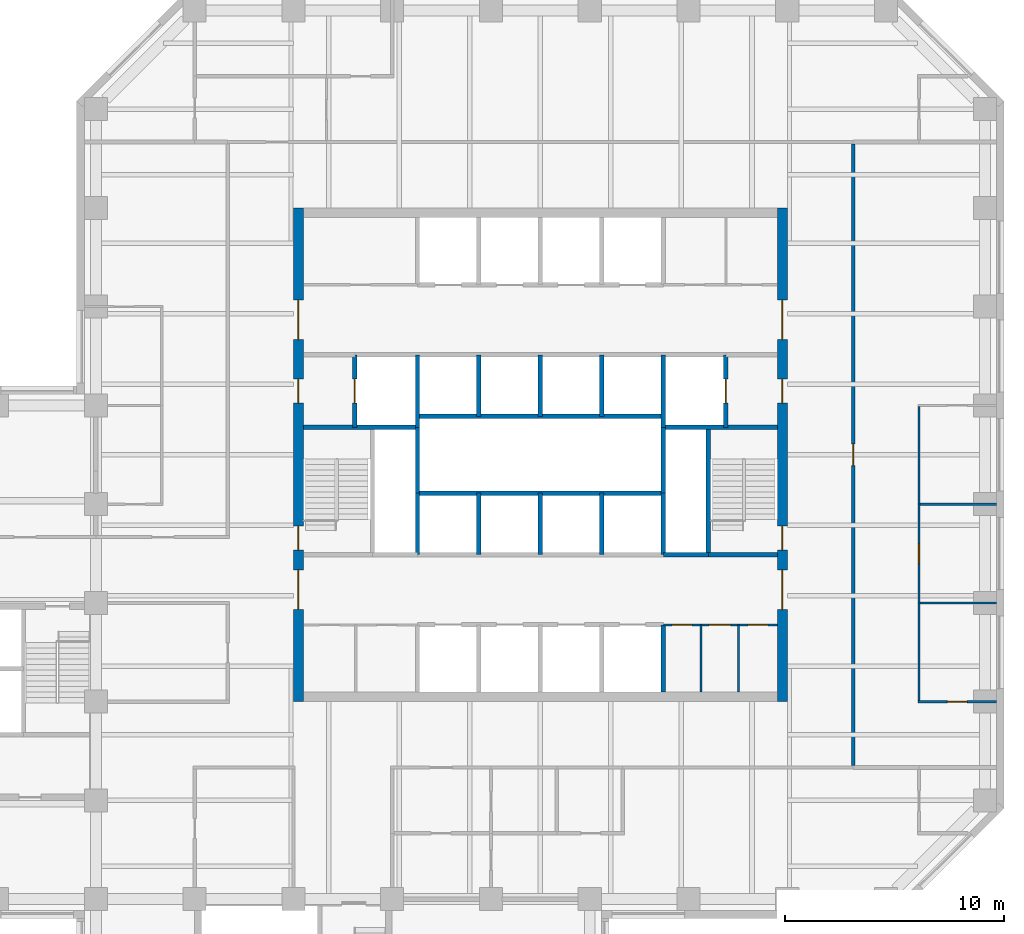
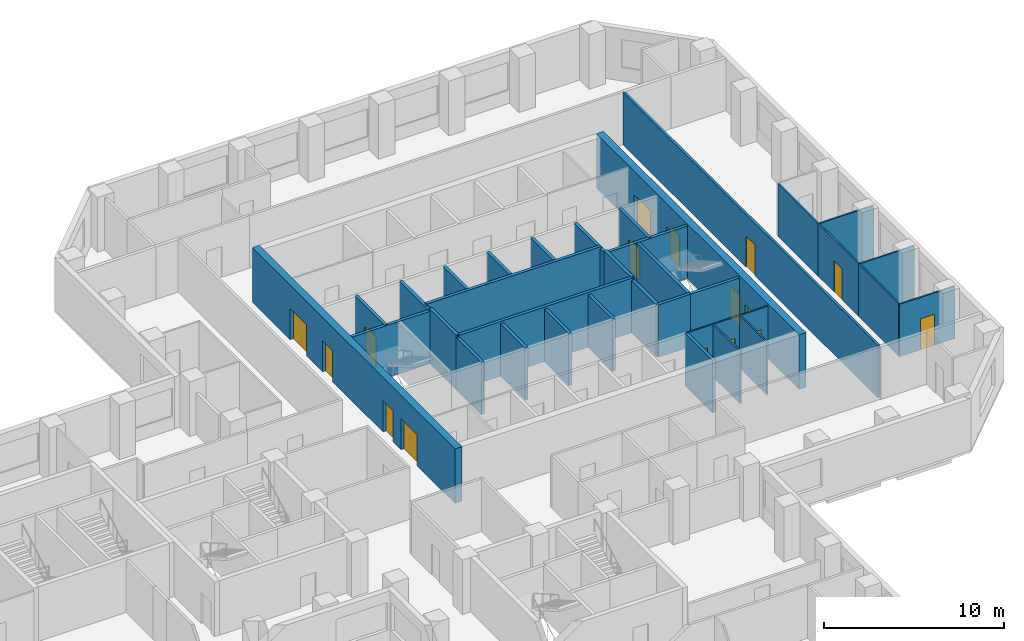
# One storey, part 7 of 10: 34 walls, 16 doors, 16 openings.
"""IFC4 building model written with IfcOpenShell, lengths in metres."""

from ifc_helpers import new_model, si_unit, direction, frame, frame_2d, origin, place, context, subcontext, project, spatial, rectangle, extrude, material, layer, layer_set, type_object, element, fill, save


model = new_model("IFC4")

# Units and contexts
model_context = context("Model", 3, precision=1e-05, world=origin(), true_north=direction((0.0, 1.0)))
body_context = subcontext(model_context, "Body", "Model", "MODEL_VIEW")
ifc_project = project(units=[si_unit("LENGTHUNIT", "METRE"), si_unit("AREAUNIT", "SQUARE_METRE"), si_unit("VOLUMEUNIT", "CUBIC_METRE"), si_unit("PLANEANGLEUNIT", "RADIAN"), si_unit("MASSUNIT", "GRAM", prefix="KILO")], contexts=[model_context])

# Site, building, storey
site_placement = place(None, origin())
site = spatial("IfcSite", under=ifc_project, at=site_placement, CompositionType="ELEMENT")
building_placement = place(site_placement, origin())
building = spatial("IfcBuilding", under=site, at=building_placement, Name="Quoin Convention Tower", CompositionType="ELEMENT")
storey_placement = place(building_placement, frame((0.0, 0.0, 86.300048828125)))
storey = spatial("IfcBuildingStorey", under=building, at=storey_placement, Name="L22", CompositionType="ELEMENT", Elevation=86.300048828125)

# Wall, openings, doors
ifc_material_1 = material(Name="Plasterboard")
ifc_layer_1 = layer(ifc_material_1, 0.012451171875, Name="Finish")
ifc_material_2 = material(Name="Steel stud framing", Category="steel")
ifc_layer_2 = layer(ifc_material_2, 0.074951171875, Name="Structure")
ifc_layer_3 = layer(ifc_material_1, 0.012451171875, Name="Finish")
ifc_layer_set_1 = layer_set([ifc_layer_1, ifc_layer_2, ifc_layer_3], Name="Steel stud framing")
wall_type_1 = type_object("IfcWallType", Name="Core partition wall", PredefinedType="PARTITIONING", material=ifc_layer_set_1)
wall_1_placement = place(storey_placement, frame((61.85009765625, 53.0, 0.0), z_axis=(0.0, 0.0, 1.0), x_axis=(1.0, 0.0, 0.0)))
wall_1 = element("IfcWall", 1, at=wall_1_placement, inside=storey, type_object=wall_type_1, Name="cr-C1-L22-h3500_16850", PredefinedType="PARTITIONING", context=body_context, shape_type="SweptSolid", body=[
    extrude(rectangle(XDim=5.199951171875, YDim=0.10009765625, at=frame_2d((2.60009765625, 0.0))), origin(), (0.0, 0.0, 1.0), 3.550048828125),
])
opening_1_placement = place(wall_1_placement, frame((3.865966796875, 0.0, 0.0)))
opening_1 = element("IfcOpeningElement", 2, at=opening_1_placement, cuts=wall_1, Name="Opening DCV2-21", PredefinedType="OPENING", context=body_context, shape_type="SweptSolid", body=[
    extrude(rectangle(XDim=0.89990234375, YDim=2.10009765625, at=frame_2d((0.449951171875, 1.050048828125))), frame((0.0, 0.06005859375, 0.0), z_axis=(0.0, -1.0, 0.0), x_axis=(1.0, 0.0, 0.0)), (0.0, 0.0, 1.0), 0.1201171875),
])
opening_2_placement = place(wall_1_placement, frame((2.073974609375, 0.0, 0.0)))
opening_2 = element("IfcOpeningElement", 3, at=opening_2_placement, cuts=wall_1, Name="Opening DCV2-19", PredefinedType="OPENING", context=body_context, shape_type="SweptSolid", body=[
    extrude(rectangle(XDim=1.0, YDim=2.10009765625, at=frame_2d((0.5, 1.050048828125))), frame((0.0, 0.06005859375, 0.0), z_axis=(0.0, -1.0, 0.0), x_axis=(1.0, 0.0, 0.0)), (0.0, 0.0, 1.0), 0.1201171875),
])
opening_3_placement = place(wall_1_placement, frame((0.407958984375, 0.0, 0.0)))
opening_3 = element("IfcOpeningElement", 4, at=opening_3_placement, cuts=wall_1, Name="Opening DCV2-17", PredefinedType="OPENING", context=body_context, shape_type="SweptSolid", body=[
    extrude(rectangle(XDim=0.89990234375, YDim=2.10009765625, at=frame_2d((0.449951171875, 1.050048828125))), frame((0.0, 0.06005859375, 0.0), z_axis=(0.0, -1.0, 0.0), x_axis=(1.0, 0.0, 0.0)), (0.0, 0.0, 1.0), 0.1201171875),
])
ifc_material_3 = material(Name="Steel door leaf", Category="steel")
door_type_1 = type_object("IfcDoorType", Name="Core room door 1000 x 2100", OperationType="SINGLE_SWING_LEFT", PredefinedType="DOOR", material=ifc_material_3)
door_1_placement = place(opening_2_placement, frame((1.0, 0.0, 0.0), z_axis=(0.0, 0.0, 1.0), x_axis=(-1.0, 0.0, 0.0)))
door_1 = element("IfcDoor", 5, at=door_1_placement, inside=storey, type_object=door_type_1, Name="cd-C1-L22-CSE1-lobA-CD2211", OperationType="SINGLE_SWING_LEFT", OverallHeight=2.10009765625, OverallWidth=1.0, PredefinedType="DOOR", context=body_context, shape_type="SweptSolid", body=[
    extrude(rectangle(XDim=1.0, YDim=2.10009765625, at=frame_2d((0.5, 1.050048828125))), frame((0.0, 0.02490234375, 0.0), z_axis=(0.0, -1.0, 0.0), x_axis=(1.0, 0.0, 0.0)), (0.0, 0.0, 1.0), 0.050048828125),
])
fill(opening_2, door_1)
door_type_2 = type_object("IfcDoorType", Name="Core room door 900 x 2100", OperationType="SINGLE_SWING_LEFT", PredefinedType="DOOR", material=ifc_material_3)
door_2_placement = place(opening_1_placement, frame((0.89990234375, 0.0, 0.0), z_axis=(0.0, 0.0, 1.0), x_axis=(-1.0, 0.0, 0.0)))
door_2 = element("IfcDoor", 6, at=door_2_placement, inside=storey, type_object=door_type_2, Name="cd-C1-L22-CSE0-lobA-CD2210", OperationType="SINGLE_SWING_LEFT", OverallHeight=2.10009765625, OverallWidth=0.89990234375, PredefinedType="DOOR", context=body_context, shape_type="SweptSolid", body=[
    extrude(rectangle(XDim=0.89990234375, YDim=2.10009765625, at=frame_2d((0.449951171875, 1.050048828125))), frame((0.0, 0.02490234375, 0.0), z_axis=(0.0, -1.0, 0.0), x_axis=(1.0, 0.0, 0.0)), (0.0, 0.0, 1.0), 0.050048828125),
])
fill(opening_1, door_2)
door_3_placement = place(opening_3_placement, frame((0.89990234375, 0.0, 0.0), z_axis=(0.0, 0.0, 1.0), x_axis=(-1.0, 0.0, 0.0)))
door_3 = element("IfcDoor", 7, at=door_3_placement, inside=storey, type_object=door_type_2, Name="cd-C1-L22-CSE2-lobA-CD2212", OperationType="SINGLE_SWING_RIGHT", OverallHeight=2.10009765625, OverallWidth=0.89990234375, PredefinedType="DOOR", context=body_context, shape_type="SweptSolid", body=[
    extrude(rectangle(XDim=0.89990234375, YDim=2.10009765625, at=frame_2d((0.449951171875, 1.050048828125))), frame((0.0, 0.02490234375, 0.0), z_axis=(0.0, -1.0, 0.0), x_axis=(1.0, 0.0, 0.0)), (0.0, 0.0, 1.0), 0.050048828125),
])
fill(opening_3, door_3)

# Walls
for number, where, z_axis, x_axis, name in (
    (8, (63.56591796875, 49.949951171875, 0.0), (0.0, 0.0, 1.0), (0.0, 1.0, 0.0), "cr-C1-L22-v18566_450"),
    (9, (65.281982421875, 49.949951171875, 0.0), (0.0, 0.0, 1.0), (0.0, 1.0, 0.0), "cr-C1-L22-v20282_450"),
):
    element("IfcWall", number, at=place(storey_placement, frame(where, z_axis=z_axis, x_axis=x_axis)), inside=storey, type_object=wall_type_1, Name=name, PredefinedType="PARTITIONING", context=body_context, shape_type="SweptSolid", body=[
        extrude(rectangle(XDim=3.050048828125, YDim=0.10009765625, at=frame_2d((1.52490234375, 0.0))), origin(), (0.0, 0.0, 1.0), 3.550048828125),
    ])
ifc_material_4 = material(Name="Concrete C50", Category="concrete")
ifc_layer_4 = layer(ifc_material_4, 0.199951171875)
ifc_layer_set_2 = layer_set([ifc_layer_4], Name="Concrete C50")
wall_type_2 = type_object("IfcWallType", Name="Core shaft wall", PredefinedType="SOLIDWALL", material=ifc_layer_set_2)
wall_2_placement = place(storey_placement, frame((61.85009765625, 56.199951171875, 0.0), z_axis=(0.0, 0.0, 1.0), x_axis=(1.0, 0.0, 0.0)))
element("IfcWall", 10, at=wall_2_placement, inside=storey, type_object=wall_type_2, Name="cr-C1-L22-h6700_16850", PredefinedType="SOLIDWALL", context=body_context, shape_type="SweptSolid", body=[
    extrude(rectangle(XDim=2.0498046875, YDim=0.199951171875, at=frame_2d((1.02490234375, 0.0))), origin(), (0.0, 0.0, 1.0), 3.550048828125),
])
wall_3_placement = place(storey_placement, frame((63.89990234375, 56.199951171875, 0.0), z_axis=(0.0, 0.0, 1.0), x_axis=(1.0, 0.0, 0.0)))
element("IfcWall", 11, at=wall_3_placement, inside=storey, type_object=wall_type_2, Name="cr-C1-L22-h6700_18900", PredefinedType="SOLIDWALL", context=body_context, shape_type="SweptSolid", body=[
    extrude(rectangle(XDim=3.150146484375, YDim=0.199951171875, at=frame_2d((1.5751953125, 0.0))), origin(), (0.0, 0.0, 1.0), 3.550048828125),
])
for number, where, z_axis, x_axis, name in (
    (12, (45.449951171875, 62.0, 0.0), (0.0, 0.0, 1.0), (1.0, 0.0, 0.0), "cr-C1-L22-h12500_450"),
    (13, (61.85009765625, 62.0, 0.0), (0.0, 0.0, 1.0), (1.0, 0.0, 0.0), "cr-C1-L22-h12500_16850"),
):
    element("IfcWall", number, at=place(storey_placement, frame(where, z_axis=z_axis, x_axis=x_axis)), inside=storey, type_object=wall_type_2, Name=name, PredefinedType="SOLIDWALL", context=body_context, shape_type="SweptSolid", body=[
        extrude(rectangle(XDim=5.199951171875, YDim=0.199951171875, at=frame_2d((2.60009765625, 0.0))), origin(), (0.0, 0.0, 1.0), 3.550048828125),
    ])

# Wall, opening, door
wall_4_placement = place(storey_placement, frame((47.800048828125, 62.0, 0.0), z_axis=(0.0, 0.0, 1.0), x_axis=(0.0, 1.0, 0.0)))
wall_4 = element("IfcWall", 14, at=wall_4_placement, inside=storey, type_object=wall_type_2, Name="cr-C1-L22-v2800_12500", PredefinedType="SOLIDWALL", context=body_context, shape_type="SweptSolid", body=[
    extrude(rectangle(XDim=3.300048828125, YDim=0.199951171875, at=frame_2d((1.64990234375, 0.0))), origin(), (0.0, 0.0, 1.0), 3.550048828125),
])
opening_4_placement = place(wall_4_placement, frame((1.10009765625, 0.0, 0.0)))
opening_4 = element("IfcOpeningElement", 15, at=opening_4_placement, cuts=wall_4, Name="Opening LDFL1", PredefinedType="OPENING", context=body_context, shape_type="SweptSolid", body=[
    extrude(rectangle(XDim=1.10009765625, YDim=2.10009765625, at=frame_2d((0.550048828125, 1.050048828125))), frame((0.0, 0.10986328125, 0.0), z_axis=(0.0, -1.0, 0.0), x_axis=(1.0, 0.0, 0.0)), (0.0, 0.0, 1.0), 0.219970703125),
])
door_type_3 = type_object("IfcDoorType", Name="Lift landing door 1100 x 2100", OperationType="DOUBLE_DOOR_SLIDING", PredefinedType="DOOR", material=ifc_material_3)
door_4_placement = place(opening_4_placement, origin())
door_4 = element("IfcDoor", 16, at=door_4_placement, inside=storey, type_object=door_type_3, Name="cd-C1-L22-FLW-FFW-LDFL1", OperationType="DOUBLE_DOOR_SLIDING", OverallHeight=2.10009765625, OverallWidth=1.10009765625, PredefinedType="DOOR", context=body_context, shape_type="SweptSolid", body=[
    extrude(rectangle(XDim=1.10009765625, YDim=2.10009765625, at=frame_2d((0.550048828125, 1.050048828125))), frame((0.0, 0.02490234375, 0.0), z_axis=(0.0, -1.0, 0.0), x_axis=(1.0, 0.0, 0.0)), (0.0, 0.0, 1.0), 0.050048828125),
])
fill(opening_4, door_4)

# Walls
wall_5_placement = place(storey_placement, frame((50.64990234375, 56.199951171875, 0.0), z_axis=(0.0, 0.0, 1.0), x_axis=(0.0, 1.0, 0.0)))
element("IfcWall", 17, at=wall_5_placement, inside=storey, type_object=wall_type_2, Name="cr-C1-L22-v5650_6700", PredefinedType="SOLIDWALL", context=body_context, shape_type="SweptSolid", body=[
    extrude(rectangle(XDim=2.800048828125, YDim=0.199951171875, at=frame_2d((1.39990234375, 0.0))), origin(), (0.0, 0.0, 1.0), 3.550048828125),
])
wall_6_placement = place(storey_placement, frame((50.64990234375, 62.0, 0.0), z_axis=(0.0, 0.0, 1.0), x_axis=(0.0, 1.0, 0.0)))
element("IfcWall", 18, at=wall_6_placement, inside=storey, type_object=wall_type_2, Name="cr-C1-L22-v5650_12500", PredefinedType="SOLIDWALL", context=body_context, shape_type="SweptSolid", body=[
    extrude(rectangle(XDim=3.300048828125, YDim=0.199951171875, at=frame_2d((1.64990234375, 0.0))), origin(), (0.0, 0.0, 1.0), 3.550048828125),
])
for number, where, z_axis, x_axis, name in (
    (19, (53.449951171875, 56.199951171875, 0.0), (0.0, 0.0, 1.0), (0.0, 1.0, 0.0), "cr-C1-L22-v8450_6700"),
    (20, (53.449951171875, 62.5, 0.0), (0.0, 0.0, 1.0), (0.0, 1.0, 0.0), "cr-C1-L22-v8450_13000"),
    (21, (56.25, 56.199951171875, 0.0), (0.0, 0.0, 1.0), (0.0, 1.0, 0.0), "cr-C1-L22-v11250_6700"),
    (22, (56.25, 62.5, 0.0), (0.0, 0.0, 1.0), (0.0, 1.0, 0.0), "cr-C1-L22-v11250_13000"),
    (23, (59.050048828125, 56.199951171875, 0.0), (0.0, 0.0, 1.0), (0.0, 1.0, 0.0), "cr-C1-L22-v14050_6700"),
    (24, (59.050048828125, 62.5, 0.0), (0.0, 0.0, 1.0), (0.0, 1.0, 0.0), "cr-C1-L22-v14050_13000"),
):
    element("IfcWall", number, at=place(storey_placement, frame(where, z_axis=z_axis, x_axis=x_axis)), inside=storey, type_object=wall_type_2, Name=name, PredefinedType="SOLIDWALL", context=body_context, shape_type="SweptSolid", body=[
        extrude(rectangle(XDim=2.800048828125, YDim=0.199951171875, at=frame_2d((1.39990234375, 0.0))), origin(), (0.0, 0.0, 1.0), 3.550048828125),
    ])
wall_7_placement = place(storey_placement, frame((61.85009765625, 49.949951171875, 0.0), z_axis=(0.0, 0.0, 1.0), x_axis=(0.0, 1.0, 0.0)))
element("IfcWall", 25, at=wall_7_placement, inside=storey, type_object=wall_type_2, Name="cr-C1-L22-v16850_450", PredefinedType="SOLIDWALL", context=body_context, shape_type="SweptSolid", body=[
    extrude(rectangle(XDim=3.050048828125, YDim=0.199951171875, at=frame_2d((1.52490234375, 0.0))), origin(), (0.0, 0.0, 1.0), 3.550048828125),
])
wall_8_placement = place(storey_placement, frame((61.85009765625, 56.199951171875, 0.0), z_axis=(0.0, 0.0, 1.0), x_axis=(0.0, 1.0, 0.0)))
element("IfcWall", 26, at=wall_8_placement, inside=storey, type_object=wall_type_2, Name="cr-C1-L22-v16850_6700", PredefinedType="SOLIDWALL", context=body_context, shape_type="SweptSolid", body=[
    extrude(rectangle(XDim=2.800048828125, YDim=0.199951171875, at=frame_2d((1.39990234375, 0.0))), origin(), (0.0, 0.0, 1.0), 3.550048828125),
])
wall_9_placement = place(storey_placement, frame((61.85009765625, 62.0, 0.0), z_axis=(0.0, 0.0, 1.0), x_axis=(0.0, 1.0, 0.0)))
element("IfcWall", 27, at=wall_9_placement, inside=storey, type_object=wall_type_2, Name="cr-C1-L22-v16850_12500", PredefinedType="SOLIDWALL", context=body_context, shape_type="SweptSolid", body=[
    extrude(rectangle(XDim=3.300048828125, YDim=0.199951171875, at=frame_2d((1.64990234375, 0.0))), origin(), (0.0, 0.0, 1.0), 3.550048828125),
])
wall_10_placement = place(storey_placement, frame((63.89990234375, 56.199951171875, 0.0), z_axis=(0.0, 0.0, 1.0), x_axis=(0.0, 1.0, 0.0)))
element("IfcWall", 28, at=wall_10_placement, inside=storey, type_object=wall_type_2, Name="cr-C1-L22-v18900_6700", PredefinedType="SOLIDWALL", context=body_context, shape_type="SweptSolid", body=[
    extrude(rectangle(XDim=5.800048828125, YDim=0.199951171875, at=frame_2d((2.89990234375, 0.0))), origin(), (0.0, 0.0, 1.0), 3.550048828125),
])

# Wall, opening, door
wall_11_placement = place(storey_placement, frame((64.699951171875, 62.0, 0.0), z_axis=(0.0, 0.0, 1.0), x_axis=(0.0, 1.0, 0.0)))
wall_11 = element("IfcWall", 29, at=wall_11_placement, inside=storey, type_object=wall_type_2, Name="cr-C1-L22-v19700_12500", PredefinedType="SOLIDWALL", context=body_context, shape_type="SweptSolid", body=[
    extrude(rectangle(XDim=3.300048828125, YDim=0.199951171875, at=frame_2d((1.64990234375, 0.0))), origin(), (0.0, 0.0, 1.0), 3.550048828125),
])
opening_5_placement = place(wall_11_placement, frame((1.10009765625, 0.0, 0.0)))
opening_5 = element("IfcOpeningElement", 30, at=opening_5_placement, cuts=wall_11, Name="Opening LDFL2", PredefinedType="OPENING", context=body_context, shape_type="SweptSolid", body=[
    extrude(rectangle(XDim=1.10009765625, YDim=2.10009765625, at=frame_2d((0.550048828125, 1.050048828125))), frame((0.0, 0.10986328125, 0.0), z_axis=(0.0, -1.0, 0.0), x_axis=(1.0, 0.0, 0.0)), (0.0, 0.0, 1.0), 0.219970703125),
])
door_5_placement = place(opening_5_placement, origin())
door_5 = element("IfcDoor", 31, at=door_5_placement, inside=storey, type_object=door_type_3, Name="cd-C1-L22-FLE-FFE-LDFL2", OperationType="DOUBLE_DOOR_SLIDING", OverallHeight=2.10009765625, OverallWidth=1.10009765625, PredefinedType="DOOR", context=body_context, shape_type="SweptSolid", body=[
    extrude(rectangle(XDim=1.10009765625, YDim=2.10009765625, at=frame_2d((0.550048828125, 1.050048828125))), frame((0.0, 0.02490234375, 0.0), z_axis=(0.0, -1.0, 0.0), x_axis=(1.0, 0.0, 0.0)), (0.0, 0.0, 1.0), 0.050048828125),
])
fill(opening_5, door_5)

# Walls
ifc_layer_5 = layer(ifc_material_4, 0.199951171875)
ifc_layer_set_3 = layer_set([ifc_layer_5], Name="Concrete C50")
wall_type_3 = type_object("IfcWallType", Name="Core shaft wall to the floor level over", PredefinedType="SOLIDWALL", material=ifc_layer_set_3)
for number, where, z_axis, x_axis, name in (
    (32, (50.64990234375, 59.0, 0.0), (0.0, 0.0, 1.0), (1.0, 0.0, 0.0), "cr-C1-L22-h9500_5650"),
    (33, (50.64990234375, 62.5, 0.0), (0.0, 0.0, 1.0), (1.0, 0.0, 0.0), "cr-C1-L22-h13000_5650"),
):
    element("IfcWall", number, at=place(storey_placement, frame(where, z_axis=z_axis, x_axis=x_axis)), inside=storey, type_object=wall_type_3, Name=name, PredefinedType="SOLIDWALL", context=body_context, shape_type="SweptSolid", body=[
        extrude(rectangle(XDim=11.2001953125, YDim=0.199951171875, at=frame_2d((5.60009765625, 0.0))), origin(), (0.0, 0.0, 1.0), 3.699951171875),
    ])
for number, where, z_axis, x_axis, name in (
    (34, (50.64990234375, 59.0, 0.0), (0.0, 0.0, 1.0), (0.0, 1.0, 0.0), "cr-C1-L22-v5650_9500"),
    (35, (61.85009765625, 59.0, 0.0), (0.0, 0.0, 1.0), (0.0, 1.0, 0.0), "cr-C1-L22-v16850_9500"),
):
    element("IfcWall", number, at=place(storey_placement, frame(where, z_axis=z_axis, x_axis=x_axis)), inside=storey, type_object=wall_type_3, Name=name, PredefinedType="SOLIDWALL", context=body_context, shape_type="SweptSolid", body=[
        extrude(rectangle(XDim=3.0, YDim=0.199951171875, at=frame_2d((1.5, 0.0))), origin(), (0.0, 0.0, 1.0), 3.699951171875),
    ])

# Wall, opening, door
ifc_layer_6 = layer(ifc_material_1, 0.012451171875, Name="Finish")
ifc_layer_7 = layer(ifc_material_2, 0.125, Name="Structure")
ifc_layer_8 = layer(ifc_material_1, 0.012451171875, Name="Finish")
ifc_layer_set_4 = layer_set([ifc_layer_6, ifc_layer_7, ifc_layer_8], Name="Steel stud framing")
wall_type_4 = type_object("IfcWallType", Name="Corridor wall 150", PredefinedType="PARTITIONING", material=ifc_layer_set_4)
wall_12_placement = place(storey_placement, frame((70.5, 46.60009765625, 0.0), z_axis=(0.0, 0.0, 1.0), x_axis=(0.0, 1.0, 0.0)))
wall_12 = element("IfcWall", 36, at=wall_12_placement, inside=storey, type_object=wall_type_4, Name="pw-L22-081", PredefinedType="PARTITIONING", context=body_context, shape_type="SweptSolid", body=[
    extrude(rectangle(XDim=28.2998046875, YDim=0.14990234375, at=frame_2d((14.14990234375, 0.0))), origin(), (0.0, 0.0, 1.0), 3.550048828125),
])
opening_6_placement = place(wall_12_placement, frame((13.64990234375, 0.0, 0.0)))
opening_6 = element("IfcOpeningElement", 37, at=opening_6_placement, cuts=wall_12, Name="Opening DOL2-25", PredefinedType="OPENING", context=body_context, shape_type="SweptSolid", body=[
    extrude(rectangle(XDim=1.0, YDim=2.10009765625, at=frame_2d((0.5, 1.050048828125))), frame((0.0, 0.0849609375, 0.0), z_axis=(0.0, -1.0, 0.0), x_axis=(1.0, 0.0, 0.0)), (0.0, 0.0, 1.0), 0.169921875),
])
door_type_4 = type_object("IfcDoorType", Name="Tenancy entrance door 1000 x 2100", OperationType="DOUBLE_DOOR_SINGLE_SWING", PredefinedType="DOOR", material=ifc_material_3)
door_6_placement = place(opening_6_placement, frame((1.0, 0.0, 0.0), z_axis=(0.0, 0.0, 1.0), x_axis=(-1.0, 0.0, 0.0)))
door_6 = element("IfcDoor", 38, at=door_6_placement, inside=storey, type_object=door_type_4, Name="dr-L22-27", OperationType="DOUBLE_DOOR_SINGLE_SWING", OverallHeight=2.10009765625, OverallWidth=1.0, PredefinedType="DOOR", context=body_context, shape_type="SweptSolid", body=[
    extrude(rectangle(XDim=1.0, YDim=2.10009765625, at=frame_2d((0.5, 1.050048828125))), frame((0.0, 0.02490234375, 0.0), z_axis=(0.0, -1.0, 0.0), x_axis=(1.0, 0.0, 0.0)), (0.0, 0.0, 1.0), 0.050048828125),
])
fill(opening_6, door_6)

# Wall, openings, doors
ifc_material_5 = material(Name="Concrete C65", Category="concrete")
ifc_layer_9 = layer(ifc_material_5, 0.449951171875)
ifc_layer_set_5 = layer_set([ifc_layer_9], Name="Concrete C65")
wall_type_5 = type_object("IfcWallType", Name="RC CORE WALL 450 C65", PredefinedType="SHEAR", material=ifc_layer_set_5)
wall_13_placement = place(storey_placement, frame((45.22509765625, 49.5, 0.0), z_axis=(0.0, 0.0, 1.0), x_axis=(0.0, 1.0, 0.0)))
wall_13 = element("IfcWall", 39, at=wall_13_placement, inside=storey, type_object=wall_type_5, Name="cwl-C1-L22-W", PredefinedType="SHEAR", context=body_context, shape_type="SweptSolid", body=[
    extrude(rectangle(XDim=22.5, YDim=0.449951171875, at=frame_2d((11.25, 0.0))), origin(), (0.0, 0.0, 1.0), 3.699951171875),
])
opening_7_placement = place(wall_13_placement, frame((4.199951171875, 0.0, 0.0)))
opening_7 = element("IfcOpeningElement", 40, at=opening_7_placement, cuts=wall_13, Name="Opening DCV2-40", PredefinedType="OPENING", context=body_context, shape_type="SweptSolid", body=[
    extrude(rectangle(XDim=1.800048828125, YDim=2.10009765625, at=frame_2d((0.89990234375, 1.050048828125))), frame((0.0, 0.23486328125, 0.0), z_axis=(0.0, -1.0, 0.0), x_axis=(1.0, 0.0, 0.0)), (0.0, 0.0, 1.0), 0.469970703125),
])
opening_8_placement = place(wall_13_placement, frame((6.89990234375, 0.0, 0.0)))
opening_8 = element("IfcOpeningElement", 41, at=opening_8_placement, cuts=wall_13, Name="Opening SD1", PredefinedType="OPENING", context=body_context, shape_type="SweptSolid", body=[
    extrude(rectangle(XDim=1.10009765625, YDim=2.10009765625, at=frame_2d((0.550048828125, 1.050048828125))), frame((0.0, 0.23486328125, 0.0), z_axis=(0.0, -1.0, 0.0), x_axis=(1.0, 0.0, 0.0)), (0.0, 0.0, 1.0), 0.469970703125),
])
opening_9_placement = place(wall_13_placement, frame((13.60009765625, 0.0, 0.0)))
opening_9 = element("IfcOpeningElement", 42, at=opening_9_placement, cuts=wall_13, Name="Opening DCV2-39", PredefinedType="OPENING", context=body_context, shape_type="SweptSolid", body=[
    extrude(rectangle(XDim=1.10009765625, YDim=2.10009765625, at=frame_2d((0.550048828125, 1.050048828125))), frame((0.0, 0.23486328125, 0.0), z_axis=(0.0, -1.0, 0.0), x_axis=(1.0, 0.0, 0.0)), (0.0, 0.0, 1.0), 0.469970703125),
])
opening_10_placement = place(wall_13_placement, frame((16.5, 0.0, 0.0)))
opening_10 = element("IfcOpeningElement", 43, at=opening_10_placement, cuts=wall_13, Name="Opening DCV2-40", PredefinedType="OPENING", context=body_context, shape_type="SweptSolid", body=[
    extrude(rectangle(XDim=1.800048828125, YDim=2.10009765625, at=frame_2d((0.89990234375, 1.050048828125))), frame((0.0, 0.23486328125, 0.0), z_axis=(0.0, -1.0, 0.0), x_axis=(1.0, 0.0, 0.0)), (0.0, 0.0, 1.0), 0.469970703125),
])
door_type_5 = type_object("IfcDoorType", Name="Fire-fighting lobby door 1100 x 2100", OperationType="SINGLE_SWING_LEFT", PredefinedType="DOOR", material=ifc_material_3)
door_7_placement = place(opening_9_placement, frame((1.10009765625, 0.0, 0.0), z_axis=(0.0, 0.0, 1.0), x_axis=(-1.0, 0.0, 0.0)))
door_7 = element("IfcDoor", 44, at=door_7_placement, inside=storey, type_object=door_type_5, Name="cd-C1-L22-FFW-W", OperationType="SINGLE_SWING_LEFT", OverallHeight=2.10009765625, OverallWidth=1.10009765625, PredefinedType="DOOR", context=body_context, shape_type="SweptSolid", body=[
    extrude(rectangle(XDim=1.10009765625, YDim=2.10009765625, at=frame_2d((0.550048828125, 1.050048828125))), frame((0.0, 0.02490234375, 0.0), z_axis=(0.0, -1.0, 0.0), x_axis=(1.0, 0.0, 0.0)), (0.0, 0.0, 1.0), 0.050048828125),
])
fill(opening_9, door_7)
door_type_6 = type_object("IfcDoorType", Name="Lift lobby door 1800 x 2100", OperationType="SINGLE_SWING_LEFT", PredefinedType="DOOR", material=ifc_material_3)
door_8_placement = place(opening_7_placement, frame((1.800048828125, 0.0, 0.0), z_axis=(0.0, 0.0, 1.0), x_axis=(-1.0, 0.0, 0.0)))
door_8 = element("IfcDoor", 45, at=door_8_placement, inside=storey, type_object=door_type_6, Name="cd-C1-L22-lobA-W", OperationType="SINGLE_SWING_LEFT", OverallHeight=2.10009765625, OverallWidth=1.800048828125, PredefinedType="DOOR", context=body_context, shape_type="SweptSolid", body=[
    extrude(rectangle(XDim=1.800048828125, YDim=2.10009765625, at=frame_2d((0.89990234375, 1.050048828125))), frame((0.0, 0.02490234375, 0.0), z_axis=(0.0, -1.0, 0.0), x_axis=(1.0, 0.0, 0.0)), (0.0, 0.0, 1.0), 0.050048828125),
])
fill(opening_7, door_8)
door_9_placement = place(opening_10_placement, frame((1.800048828125, 0.0, 0.0), z_axis=(0.0, 0.0, 1.0), x_axis=(-1.0, 0.0, 0.0)))
door_9 = element("IfcDoor", 46, at=door_9_placement, inside=storey, type_object=door_type_6, Name="cd-C1-L22-lobB-W", OperationType="SINGLE_SWING_LEFT", OverallHeight=2.10009765625, OverallWidth=1.800048828125, PredefinedType="DOOR", context=body_context, shape_type="SweptSolid", body=[
    extrude(rectangle(XDim=1.800048828125, YDim=2.10009765625, at=frame_2d((0.89990234375, 1.050048828125))), frame((0.0, 0.02490234375, 0.0), z_axis=(0.0, -1.0, 0.0), x_axis=(1.0, 0.0, 0.0)), (0.0, 0.0, 1.0), 0.050048828125),
])
fill(opening_10, door_9)
door_type_7 = type_object("IfcDoorType", Name="Stair door 1100 x 2100", OperationType="SINGLE_SWING_RIGHT", PredefinedType="DOOR", material=ifc_material_3)
door_10_placement = place(opening_8_placement, frame((1.10009765625, 0.0, 0.0), z_axis=(0.0, 0.0, 1.0), x_axis=(-1.0, 0.0, 0.0)))
door_10 = element("IfcDoor", 47, at=door_10_placement, inside=storey, type_object=door_type_7, Name="cd-C1-L22-STW-W", OperationType="SINGLE_SWING_RIGHT", OverallHeight=2.10009765625, OverallWidth=1.10009765625, PredefinedType="DOOR", context=body_context, shape_type="SweptSolid", body=[
    extrude(rectangle(XDim=1.10009765625, YDim=2.10009765625, at=frame_2d((0.550048828125, 1.050048828125))), frame((0.0, 0.02490234375, 0.0), z_axis=(0.0, -1.0, 0.0), x_axis=(1.0, 0.0, 0.0)), (0.0, 0.0, 1.0), 0.050048828125),
])
fill(opening_8, door_10)

wall_14_placement = place(storey_placement, frame((67.27490234375, 49.5, 0.0), z_axis=(0.0, 0.0, 1.0), x_axis=(0.0, 1.0, 0.0)))
wall_14 = element("IfcWall", 48, at=wall_14_placement, inside=storey, type_object=wall_type_5, Name="cwl-C1-L22-E", PredefinedType="SHEAR", context=body_context, shape_type="SweptSolid", body=[
    extrude(rectangle(XDim=22.5, YDim=0.449951171875, at=frame_2d((11.25, 0.0))), origin(), (0.0, 0.0, 1.0), 3.699951171875),
])
opening_11_placement = place(wall_14_placement, frame((4.199951171875, 0.0, 0.0)))
opening_11 = element("IfcOpeningElement", 49, at=opening_11_placement, cuts=wall_14, Name="Opening DCV2-38", PredefinedType="OPENING", context=body_context, shape_type="SweptSolid", body=[
    extrude(rectangle(XDim=1.800048828125, YDim=2.10009765625, at=frame_2d((0.89990234375, 1.050048828125))), frame((0.0, 0.23486328125, 0.0), z_axis=(0.0, -1.0, 0.0), x_axis=(1.0, 0.0, 0.0)), (0.0, 0.0, 1.0), 0.469970703125),
])
opening_12_placement = place(wall_14_placement, frame((6.89990234375, 0.0, 0.0)))
opening_12 = element("IfcOpeningElement", 50, at=opening_12_placement, cuts=wall_14, Name="Opening SD2", PredefinedType="OPENING", context=body_context, shape_type="SweptSolid", body=[
    extrude(rectangle(XDim=1.10009765625, YDim=2.10009765625, at=frame_2d((0.550048828125, 1.050048828125))), frame((0.0, 0.23486328125, 0.0), z_axis=(0.0, -1.0, 0.0), x_axis=(1.0, 0.0, 0.0)), (0.0, 0.0, 1.0), 0.469970703125),
])
opening_13_placement = place(wall_14_placement, frame((13.60009765625, 0.0, 0.0)))
opening_13 = element("IfcOpeningElement", 51, at=opening_13_placement, cuts=wall_14, Name="Opening DCV2-37", PredefinedType="OPENING", context=body_context, shape_type="SweptSolid", body=[
    extrude(rectangle(XDim=1.10009765625, YDim=2.10009765625, at=frame_2d((0.550048828125, 1.050048828125))), frame((0.0, 0.23486328125, 0.0), z_axis=(0.0, -1.0, 0.0), x_axis=(1.0, 0.0, 0.0)), (0.0, 0.0, 1.0), 0.469970703125),
])
opening_14_placement = place(wall_14_placement, frame((16.5, 0.0, 0.0)))
opening_14 = element("IfcOpeningElement", 52, at=opening_14_placement, cuts=wall_14, Name="Opening DCV2-38", PredefinedType="OPENING", context=body_context, shape_type="SweptSolid", body=[
    extrude(rectangle(XDim=1.800048828125, YDim=2.10009765625, at=frame_2d((0.89990234375, 1.050048828125))), frame((0.0, 0.23486328125, 0.0), z_axis=(0.0, -1.0, 0.0), x_axis=(1.0, 0.0, 0.0)), (0.0, 0.0, 1.0), 0.469970703125),
])
door_11_placement = place(opening_13_placement, origin())
door_11 = element("IfcDoor", 53, at=door_11_placement, inside=storey, type_object=door_type_5, Name="cd-C1-L22-FFE-E", OperationType="SINGLE_SWING_RIGHT", OverallHeight=2.10009765625, OverallWidth=1.10009765625, PredefinedType="DOOR", context=body_context, shape_type="SweptSolid", body=[
    extrude(rectangle(XDim=1.10009765625, YDim=2.10009765625, at=frame_2d((0.550048828125, 1.050048828125))), frame((0.0, 0.02490234375, 0.0), z_axis=(0.0, -1.0, 0.0), x_axis=(1.0, 0.0, 0.0)), (0.0, 0.0, 1.0), 0.050048828125),
])
fill(opening_13, door_11)
door_12_placement = place(opening_11_placement, origin())
door_12 = element("IfcDoor", 54, at=door_12_placement, inside=storey, type_object=door_type_6, Name="cd-C1-L22-lobA-E", OperationType="SINGLE_SWING_RIGHT", OverallHeight=2.10009765625, OverallWidth=1.800048828125, PredefinedType="DOOR", context=body_context, shape_type="SweptSolid", body=[
    extrude(rectangle(XDim=1.800048828125, YDim=2.10009765625, at=frame_2d((0.89990234375, 1.050048828125))), frame((0.0, 0.02490234375, 0.0), z_axis=(0.0, -1.0, 0.0), x_axis=(1.0, 0.0, 0.0)), (0.0, 0.0, 1.0), 0.050048828125),
])
fill(opening_11, door_12)
door_13_placement = place(opening_14_placement, origin())
door_13 = element("IfcDoor", 55, at=door_13_placement, inside=storey, type_object=door_type_6, Name="cd-C1-L22-lobB-E", OperationType="SINGLE_SWING_RIGHT", OverallHeight=2.10009765625, OverallWidth=1.800048828125, PredefinedType="DOOR", context=body_context, shape_type="SweptSolid", body=[
    extrude(rectangle(XDim=1.800048828125, YDim=2.10009765625, at=frame_2d((0.89990234375, 1.050048828125))), frame((0.0, 0.02490234375, 0.0), z_axis=(0.0, -1.0, 0.0), x_axis=(1.0, 0.0, 0.0)), (0.0, 0.0, 1.0), 0.050048828125),
])
fill(opening_14, door_13)
door_14_placement = place(opening_12_placement, origin())
door_14 = element("IfcDoor", 56, at=door_14_placement, inside=storey, type_object=door_type_7, Name="cd-C1-L22-STE-E", OperationType="SINGLE_SWING_LEFT", OverallHeight=2.10009765625, OverallWidth=1.10009765625, PredefinedType="DOOR", context=body_context, shape_type="SweptSolid", body=[
    extrude(rectangle(XDim=1.10009765625, YDim=2.10009765625, at=frame_2d((0.550048828125, 1.050048828125))), frame((0.0, 0.02490234375, 0.0), z_axis=(0.0, -1.0, 0.0), x_axis=(1.0, 0.0, 0.0)), (0.0, 0.0, 1.0), 0.050048828125),
])
fill(opening_12, door_14)

# Wall, opening, door
ifc_layer_10 = layer(ifc_material_1, 0.012451171875, Name="Finish")
ifc_layer_11 = layer(ifc_material_2, 0.074951171875, Name="Structure")
ifc_layer_12 = layer(ifc_material_1, 0.012451171875, Name="Finish")
ifc_layer_set_6 = layer_set([ifc_layer_10, ifc_layer_11, ifc_layer_12], Name="Steel stud framing")
wall_type_6 = type_object("IfcWallType", Name="Stud partition 100", PredefinedType="PARTITIONING", material=ifc_layer_set_6)
wall_15_placement = place(storey_placement, frame((73.449951171875, 49.5, 0.0), z_axis=(0.0, 0.0, 1.0), x_axis=(1.0, 0.0, 0.0)))
wall_15 = element("IfcWall", 57, at=wall_15_placement, inside=storey, type_object=wall_type_6, Name="pw-L22-033", PredefinedType="PARTITIONING", context=body_context, shape_type="SweptSolid", body=[
    extrude(rectangle(XDim=3.574951171875, YDim=0.10009765625, at=frame_2d((1.78759765625, 0.0))), origin(), (0.0, 0.0, 1.0), 3.550048828125),
])
opening_15_placement = place(wall_15_placement, frame((1.35009765625, 0.0, 0.0)))
opening_15 = element("IfcOpeningElement", 58, at=opening_15_placement, cuts=wall_15, Name="Opening DOL2-11", PredefinedType="OPENING", context=body_context, shape_type="SweptSolid", body=[
    extrude(rectangle(XDim=0.89990234375, YDim=2.10009765625, at=frame_2d((0.449951171875, 1.050048828125))), frame((0.0, 0.06005859375, 0.0), z_axis=(0.0, -1.0, 0.0), x_axis=(1.0, 0.0, 0.0)), (0.0, 0.0, 1.0), 0.1201171875),
])
door_type_8 = type_object("IfcDoorType", Name="Office door 900 x 2100", OperationType="SINGLE_SWING_RIGHT", PredefinedType="DOOR", material=ifc_material_3)
door_15_placement = place(opening_15_placement, frame((0.89990234375, 0.0, 0.0), z_axis=(0.0, 0.0, 1.0), x_axis=(-1.0, 0.0, 0.0)))
door_15 = element("IfcDoor", 59, at=door_15_placement, inside=storey, type_object=door_type_8, Name="dr-L22-28", OperationType="SINGLE_SWING_LEFT", OverallHeight=2.10009765625, OverallWidth=0.89990234375, PredefinedType="DOOR", context=body_context, shape_type="SweptSolid", body=[
    extrude(rectangle(XDim=0.89990234375, YDim=2.10009765625, at=frame_2d((0.449951171875, 1.050048828125))), frame((0.0, 0.02490234375, 0.0), z_axis=(0.0, -1.0, 0.0), x_axis=(1.0, 0.0, 0.0)), (0.0, 0.0, 1.0), 0.050048828125),
])
fill(opening_15, door_15)

# Walls
for number, where, z_axis, x_axis, name in (
    (60, (73.550048828125, 54.0, 0.0), (0.0, 0.0, 1.0), (1.0, 0.0, 0.0), "pw-L22-036"),
    (61, (73.550048828125, 58.5, 0.0), (0.0, 0.0, 1.0), (1.0, 0.0, 0.0), "pw-L22-041"),
):
    element("IfcWall", number, at=place(storey_placement, frame(where, z_axis=z_axis, x_axis=x_axis)), inside=storey, type_object=wall_type_6, Name=name, PredefinedType="PARTITIONING", context=body_context, shape_type="SweptSolid", body=[
        extrude(rectangle(XDim=3.474853515625, YDim=0.10009765625, at=frame_2d((1.7373046875, 0.0))), origin(), (0.0, 0.0, 1.0), 3.550048828125),
    ])
wall_16_placement = place(storey_placement, frame((73.5, 49.550048828125, 0.0), z_axis=(0.0, 0.0, 1.0), x_axis=(0.0, 1.0, 0.0)))
element("IfcWall", 62, at=wall_16_placement, inside=storey, type_object=wall_type_6, Name="pw-L22-083", PredefinedType="PARTITIONING", context=body_context, shape_type="SweptSolid", body=[
    extrude(rectangle(XDim=4.449951171875, YDim=0.10009765625, at=frame_2d((2.22509765625, 0.0))), origin(), (0.0, 0.0, 1.0), 3.550048828125),
])

# Wall, opening, door
wall_17_placement = place(storey_placement, frame((73.5, 54.0, 0.0), z_axis=(0.0, 0.0, 1.0), x_axis=(0.0, 1.0, 0.0)))
wall_17 = element("IfcWall", 63, at=wall_17_placement, inside=storey, type_object=wall_type_6, Name="pw-L22-086", PredefinedType="PARTITIONING", context=body_context, shape_type="SweptSolid", body=[
    extrude(rectangle(XDim=4.5, YDim=0.10009765625, at=frame_2d((2.25, 0.0))), origin(), (0.0, 0.0, 1.0), 3.550048828125),
])
opening_16_placement = place(wall_17_placement, frame((1.800048828125, 0.0, 0.0)))
opening_16 = element("IfcOpeningElement", 64, at=opening_16_placement, cuts=wall_17, Name="Opening DOL2-27", PredefinedType="OPENING", context=body_context, shape_type="SweptSolid", body=[
    extrude(rectangle(XDim=0.89990234375, YDim=2.10009765625, at=frame_2d((0.449951171875, 1.050048828125))), frame((0.0, 0.06005859375, 0.0), z_axis=(0.0, -1.0, 0.0), x_axis=(1.0, 0.0, 0.0)), (0.0, 0.0, 1.0), 0.1201171875),
])
door_16_placement = place(opening_16_placement, origin())
door_16 = element("IfcDoor", 65, at=door_16_placement, inside=storey, type_object=door_type_8, Name="dr-L22-29", OperationType="SINGLE_SWING_RIGHT", OverallHeight=2.10009765625, OverallWidth=0.89990234375, PredefinedType="DOOR", context=body_context, shape_type="SweptSolid", body=[
    extrude(rectangle(XDim=0.89990234375, YDim=2.10009765625, at=frame_2d((0.449951171875, 1.050048828125))), frame((0.0, 0.02490234375, 0.0), z_axis=(0.0, -1.0, 0.0), x_axis=(1.0, 0.0, 0.0)), (0.0, 0.0, 1.0), 0.050048828125),
])
fill(opening_16, door_16)

# Wall
wall_18_placement = place(storey_placement, frame((73.5, 58.5, 0.0), z_axis=(0.0, 0.0, 1.0), x_axis=(0.0, 1.0, 0.0)))
element("IfcWall", 66, at=wall_18_placement, inside=storey, type_object=wall_type_6, Name="pw-L22-090", PredefinedType="PARTITIONING", context=body_context, shape_type="SweptSolid", body=[
    extrude(rectangle(XDim=4.449951171875, YDim=0.10009765625, at=frame_2d((2.22509765625, 0.0))), origin(), (0.0, 0.0, 1.0), 3.550048828125),
])

save(model, "model.ifc")
